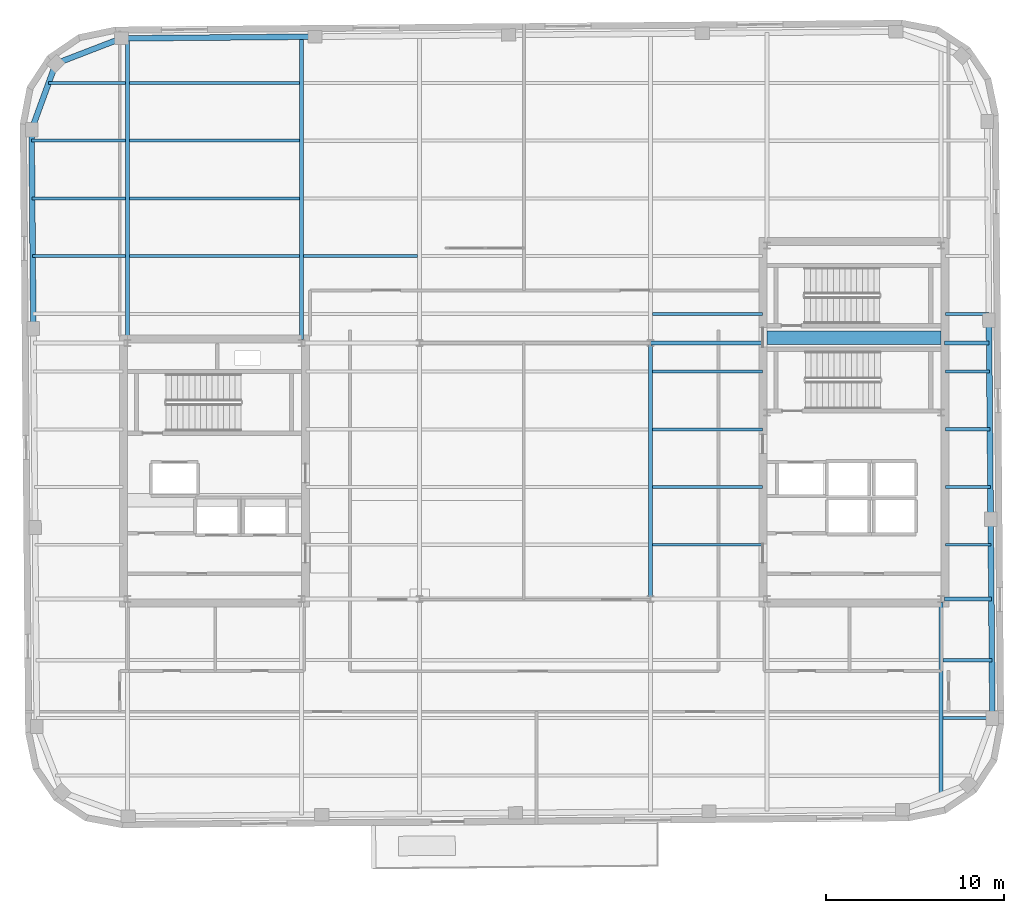
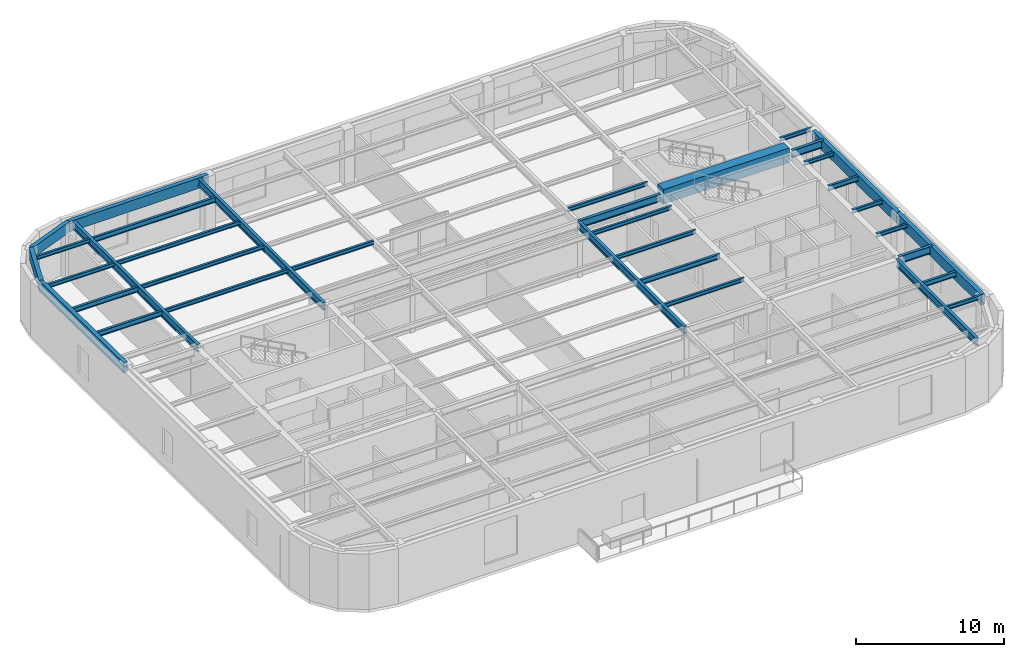
# One storey, part 5 of 13: 35 beams.
"""IFC4 building model written with IfcOpenShell, lengths in metres."""

import ifcopenshell
import ifcopenshell.guid

model = None  # the IFC model being written
_history = None  # IfcOwnerHistory: only IFC2X3 demands one
_inside = {}  # id of a spatial element -> (the spatial element, [elements in it])
_under = {}  # id of a project, library or spatial element -> (it, [spatial elements below it])
_declared = {}  # id of a project -> (the project, [libraries it declares])
_typed = {}  # id of a type object -> (the type object, [elements of that type])
_made_of = {}  # id of a material, layer set ... -> (it, [elements and type objects made of it])


def new_model(schema):
    """Start an empty IFC model of exactly this schema.

    Asked for "IFC4X3", IfcOpenShell would pick the latest addendum, in which some entities
    have other attributes; the version numbers below select the first issue.
    IFC2X3 requires an IfcOwnerHistory on every rooted entity: one is made here for all.
    """
    global model, _history
    if schema == "IFC4X3":
        model = ifcopenshell.file(schema_version=(4, 3, 0, 0))
    else:
        model = ifcopenshell.file(schema=schema)
    _inside.clear()
    _under.clear()
    _declared.clear()
    _typed.clear()
    _made_of.clear()
    _history = None
    if model.schema == "IFC2X3":
        org = make("IfcOrganization", Name="unknown")
        user = make(
            "IfcPersonAndOrganization",
            ThePerson=make("IfcPerson", FamilyName="unknown"),
            TheOrganization=org,
        )
        app = make(
            "IfcApplication",
            ApplicationDeveloper=org,
            Version="unknown",
            ApplicationFullName="unknown",
            ApplicationIdentifier="unknown",
        )
        _history = make(
            "IfcOwnerHistory",
            OwningUser=user,
            OwningApplication=app,
            ChangeAction="ADDED",
            CreationDate=0,
        )
    return model


def make(cls, **values):
    """One entity of the class cls with the attributes given. An attribute that is None is left unset."""
    return model.create_entity(
        cls, **{name: value for name, value in values.items() if value is not None}
    )


def rooted(cls, **values):
    """An entity with a GlobalId (a new one), such as an element, a storey or a relation."""
    return make(cls, GlobalId=ifcopenshell.guid.new(), OwnerHistory=_history, **values)


def si_unit(unit_type, name, prefix=None):
    """IfcSIUnit, for example si_unit("LENGTHUNIT", "METRE", prefix="MILLI")."""
    return make("IfcSIUnit", UnitType=unit_type, Prefix=prefix, Name=name)


def assignment(units):
    """IfcUnitAssignment: the units of a project."""
    return None if units is None else make("IfcUnitAssignment", Units=units)


def point(xyz):
    """IfcCartesianPoint."""
    return None if xyz is None else make("IfcCartesianPoint", Coordinates=xyz)


def direction(xyz):
    """IfcDirection."""
    return None if xyz is None else make("IfcDirection", DirectionRatios=xyz)


def frame(location, z_axis=None, x_axis=None):
    """IfcAxis2Placement3D, a coordinate frame: its origin and axes. An axis left out is left unset."""
    return make(
        "IfcAxis2Placement3D",
        Location=point(location),
        Axis=direction(z_axis),
        RefDirection=direction(x_axis),
    )


def frame_2d(location, x_axis=None):
    """IfcAxis2Placement2D, a coordinate frame in the plane: its origin and x axis."""
    return make(
        "IfcAxis2Placement2D", Location=point(location), RefDirection=direction(x_axis)
    )


def origin():
    """The frame at (0, 0, 0) with its axes left unset."""
    return frame((0.0, 0.0, 0.0))


def origin_2d():
    """The frame at (0, 0) in the plane with its x axis left unset."""
    return frame_2d((0.0, 0.0))


def place(relative_to, where):
    """IfcLocalPlacement: puts the frame where relative to a parent placement (None: the world)."""
    return make(
        "IfcLocalPlacement", PlacementRelTo=relative_to, RelativePlacement=where
    )


def context(
    kind, dimensions, precision=None, world=None, true_north=None, identifier=None
):
    """IfcGeometricRepresentationContext, for example the 3D "Model" context."""
    return make(
        "IfcGeometricRepresentationContext",
        ContextIdentifier=identifier,
        ContextType=kind,
        CoordinateSpaceDimension=dimensions,
        Precision=precision,
        WorldCoordinateSystem=world,
        TrueNorth=true_north,
    )


def subcontext(parent, identifier, kind, view, scale=None):
    """IfcGeometricRepresentationSubContext, for example "Body" below "Model"."""
    return make(
        "IfcGeometricRepresentationSubContext",
        ContextIdentifier=identifier,
        ContextType=kind,
        ParentContext=parent,
        TargetScale=scale,
        TargetView=view,
    )


def project(units=None, contexts=None):
    """IfcProject with its units and contexts."""
    return rooted(
        "IfcProject",
        Name="project",
        RepresentationContexts=contexts,
        UnitsInContext=assignment(units),
    )


def spatial(cls, under=None, at=None, **own):
    """A site, building, storey or space (cls), placed at a placement, below another one or the project."""
    s = rooted(cls, ObjectPlacement=at, **own)
    if under is not None:
        _under.setdefault(under.id(), (under, []))[1].append(s)
    return s


def profile(cls, at=None, kind="AREA", **sizes):
    """A parametric profile (cls). Its sizes go by their IFC names, for example OverallWidth=200.0."""
    return make(cls, ProfileType=kind, Position=at, **sizes)


def rectangle(**sizes):
    """IfcRectangleProfileDef."""
    return profile("IfcRectangleProfileDef", **sizes)


def hollow_rectangle(**sizes):
    """IfcRectangleHollowProfileDef."""
    return profile("IfcRectangleHollowProfileDef", **sizes)


def i_section(**sizes):
    """IfcIShapeProfileDef."""
    return profile("IfcIShapeProfileDef", **sizes)


def extrude(swept, where, along, depth):
    """IfcExtrudedAreaSolid: the profile swept, set in the frame where, extruded along a direction by depth."""
    return make(
        "IfcExtrudedAreaSolid",
        SweptArea=swept,
        Position=where,
        ExtrudedDirection=direction(along),
        Depth=depth,
    )


def shape(context_of_items, identifier, shape_type, items):
    """IfcShapeRepresentation: the items that make up one representation, for example the "Body"."""
    return make(
        "IfcShapeRepresentation",
        ContextOfItems=context_of_items,
        RepresentationIdentifier=identifier,
        RepresentationType=shape_type,
        Items=items,
    )


def material(Name=None, Category=None):
    """IfcMaterial."""
    return make("IfcMaterial", Name=Name, Category=Category)


def material_profile(
    of_material, cross_section, Name=None, Category=None, Priority=None
):
    """IfcMaterialProfile: a cross section and its material."""
    return make(
        "IfcMaterialProfile",
        Name=Name,
        Material=of_material,
        Profile=cross_section,
        Priority=Priority,
        Category=Category,
    )


def profile_set(profiles, Name=None, composite=None):
    """IfcMaterialProfileSet."""
    return make(
        "IfcMaterialProfileSet",
        Name=Name,
        MaterialProfiles=profiles,
        CompositeProfile=composite,
    )


def made_of(thing, what):
    """Note that an element or type object is made of a material, layer set ...; save() writes the relation."""
    if what is not None:
        _made_of.setdefault(what.id(), (what, []))[1].append(thing)
    return thing


def type_object(cls, material=None, **own):
    """A type object (cls), such as IfcWallType, which elements share."""
    return made_of(rooted(cls, **own), material)


def element(
    cls,
    number,
    at=None,
    inside=None,
    cuts=None,
    type_object=None,
    material=None,
    context=None,
    identifier="Body",
    shape_type=None,
    held_by="IfcProductDefinitionShape",
    body=None,
    shapes=None,
    **own,
):
    """One element of the class cls, such as IfcWall. Its Tag is "e" and its number.

    at: its placement. inside: the storey or other place that contains it. cuts: it is an
    opening in that element (IfcRelVoidsElement). A single representation is given by context,
    identifier, shape_type and body (its items); several are given by shapes. held_by: the class
    of the entity that holds the representations. save() writes the other relations.
    """
    e = rooted(cls, Tag="e%d" % number, ObjectPlacement=at, **own)
    if body is not None:
        shapes = [shape(context, identifier, shape_type, body)]
    if shapes is not None:
        e.Representation = make(held_by, Representations=shapes)
    if inside is not None:
        _inside.setdefault(inside.id(), (inside, []))[1].append(e)
    if cuts is not None:
        rooted(
            "IfcRelVoidsElement", RelatingBuildingElement=cuts, RelatedOpeningElement=e
        )
    if type_object is not None:
        _typed.setdefault(type_object.id(), (type_object, []))[1].append(e)
    return made_of(e, material)


def aggregate(whole, parts):
    """IfcRelAggregates: a whole, such as a stair, and the parts it consists of."""
    return rooted("IfcRelAggregates", RelatingObject=whole, RelatedObjects=parts)


def save(model, path):
    """Write the relations noted so far, then the file.

    IfcRelAggregates (storeys below a building ...), IfcRelContainedInSpatialStructure (elements
    in a storey), IfcRelDefinesByType, IfcRelAssociatesMaterial and IfcRelDeclares: one each for
    every whole, place, type object, material and project.
    """
    for whole, parts in _under.values():
        aggregate(whole, parts)
    for where, things in _inside.values():
        rooted(
            "IfcRelContainedInSpatialStructure",
            RelatedElements=things,
            RelatingStructure=where,
        )
    for kind, things in _typed.values():
        rooted("IfcRelDefinesByType", RelatedObjects=things, RelatingType=kind)
    for what, things in _made_of.values():
        rooted("IfcRelAssociatesMaterial", RelatedObjects=things, RelatingMaterial=what)
    for by, libraries in _declared.values():
        rooted("IfcRelDeclares", RelatingContext=by, RelatedDefinitions=libraries)
    model.write(path)


model = new_model("IFC4")

# Units and contexts
model_context = context("Model", 3, precision=1e-05, world=origin(), true_north=direction((0.0, 1.0)))
body_context = subcontext(model_context, "Body", "Model", "MODEL_VIEW")
ifc_project = project(units=[si_unit("LENGTHUNIT", "METRE"), si_unit("AREAUNIT", "SQUARE_METRE"), si_unit("VOLUMEUNIT", "CUBIC_METRE"), si_unit("PLANEANGLEUNIT", "RADIAN"), si_unit("MASSUNIT", "GRAM", prefix="KILO")], contexts=[model_context])

# Site, building, storey
site_placement = place(None, origin())
site = spatial("IfcSite", under=ifc_project, at=site_placement, CompositionType="ELEMENT")
building_placement = place(site_placement, origin())
building = spatial("IfcBuilding", under=site, at=building_placement, Name="Kolvaren Arena Tower", CompositionType="ELEMENT")
storey_placement = place(building_placement, frame((0.0, 0.0, 312.39990234375)))
storey = spatial("IfcBuildingStorey", under=building, at=storey_placement, Name="L77", CompositionType="ELEMENT", Elevation=312.39990234375)

# Beams
ifc_material_1 = material(Name="Steel CSA G40.21 350W", Category="steel")
ifc_material_profile_1 = material_profile(ifc_material_1, i_section(OverallWidth=0.180908203125, OverallDepth=0.4169921875, WebThickness=0.010986328125, FlangeThickness=0.018310546875, FilletRadius=0.011962890625, at=origin_2d()), Name="W410x85")
ifc_profile_set_1 = profile_set([ifc_material_profile_1], Name="Steel CSA G40.21 350W")
beam_type_1 = type_object("IfcBeamType", Name="BEAM-F3", PredefinedType="BEAM", material=ifc_profile_set_1)
beam_1_placement = place(storey_placement, frame((60.464111328125, 16.0, 4.3515625), z_axis=(1.0, 0.0, 0.0), x_axis=(0.0, 1.0, 0.0)))
element("IfcBeam", 1, at=beam_1_placement, inside=storey, type_object=beam_type_1, Name="Composite Floor Beam (L77)", PredefinedType="BEAM", context=body_context, shape_type="SweptSolid", body=[
    extrude(i_section(OverallWidth=0.180908203125, OverallDepth=0.4169921875, WebThickness=0.010986328125, FlangeThickness=0.018310546875, FilletRadius=0.011962890625, at=origin_2d()), origin(), (0.0, 0.0, 1.0), 2.7529296875),
])
beam_2_placement = place(storey_placement, frame((44.114013671875, 25.75, 4.3515625), z_axis=(1.0, 0.0, 0.0), x_axis=(0.0, 1.0, 0.0)))
element("IfcBeam", 2, at=beam_2_placement, inside=storey, type_object=beam_type_1, Name="Composite Floor Beam (L77)", PredefinedType="BEAM", context=body_context, shape_type="SweptSolid", body=[
    extrude(i_section(OverallWidth=0.180908203125, OverallDepth=0.4169921875, WebThickness=0.010986328125, FlangeThickness=0.018310546875, FilletRadius=0.011962890625, at=origin_2d()), origin(), (0.0, 0.0, 1.0), 6.19091796875),
])
beam_3_placement = place(storey_placement, frame((60.594970703125, 29.0, 4.3515625), z_axis=(1.0, 0.0, 0.0), x_axis=(0.0, 1.0, 0.0)))
element("IfcBeam", 3, at=beam_3_placement, inside=storey, type_object=beam_type_1, Name="Composite Floor Beam (L77)", PredefinedType="BEAM", context=body_context, shape_type="SweptSolid", body=[
    extrude(i_section(OverallWidth=0.180908203125, OverallDepth=0.4169921875, WebThickness=0.010986328125, FlangeThickness=0.018310546875, FilletRadius=0.011962890625, at=origin_2d()), origin(), (0.0, 0.0, 1.0), 2.508544921875),
])
beam_4_placement = place(storey_placement, frame((9.216552734375, 38.75, 4.3515625), z_axis=(1.0, 0.0, 0.0), x_axis=(0.0, 1.0, 0.0)))
element("IfcBeam", 4, at=beam_4_placement, inside=storey, type_object=beam_type_1, Name="Composite Floor Beam (L77)", PredefinedType="BEAM", context=body_context, shape_type="SweptSolid", body=[
    extrude(i_section(OverallWidth=0.180908203125, OverallDepth=0.4169921875, WebThickness=0.010986328125, FlangeThickness=0.018310546875, FilletRadius=0.011962890625, at=origin_2d()), origin(), (0.0, 0.0, 1.0), 5.219482421875),
])
beam_5_placement = place(storey_placement, frame((9.18798828125, 42.0, 4.3515625), z_axis=(1.0, 0.0, 0.0), x_axis=(0.0, 1.0, 0.0)))
element("IfcBeam", 5, at=beam_5_placement, inside=storey, type_object=beam_type_1, Name="Composite Floor Beam (L77)", PredefinedType="BEAM", context=body_context, shape_type="SweptSolid", body=[
    extrude(i_section(OverallWidth=0.180908203125, OverallDepth=0.4169921875, WebThickness=0.010986328125, FlangeThickness=0.018310546875, FilletRadius=0.011962890625, at=origin_2d()), origin(), (0.0, 0.0, 1.0), 5.248046875),
])
beam_6_placement = place(storey_placement, frame((14.6640625, 48.5, 4.3515625), z_axis=(1.0, 0.0, 0.0), x_axis=(0.0, 1.0, 0.0)))
element("IfcBeam", 6, at=beam_6_placement, inside=storey, type_object=beam_type_1, Name="Composite Floor Beam (L77)", PredefinedType="BEAM", context=body_context, shape_type="SweptSolid", body=[
    extrude(i_section(OverallWidth=0.180908203125, OverallDepth=0.4169921875, WebThickness=0.010986328125, FlangeThickness=0.018310546875, FilletRadius=0.011962890625, at=origin_2d()), origin(), (0.0, 0.0, 1.0), 9.572021484375),
])
ifc_material_2 = material(Name="Concrete 60 MPa", Category="concrete")
ifc_material_profile_2 = material_profile(ifc_material_2, rectangle(XDim=0.75, YDim=1.199951171875, at=origin_2d()), Name="RC-750x1200")
ifc_profile_set_2 = profile_set([ifc_material_profile_2], Name="Concrete 60 MPa")
beam_type_2 = type_object("IfcBeamType", Name="CB-CORE-2", PredefinedType="BEAM", material=ifc_profile_set_2)
beam_7_placement = place(storey_placement, frame((50.550048828125, 34.14990234375, 4.22998046875), z_axis=(1.0, 0.0, 0.0), x_axis=(0.0, 1.0, 0.0)))
element("IfcBeam", 7, at=beam_7_placement, inside=storey, type_object=beam_type_2, Name="East Core Coupling Beam (L77)", PredefinedType="BEAM", context=body_context, shape_type="SweptSolid", body=[
    extrude(rectangle(XDim=0.75, YDim=1.199951171875, at=origin_2d()), origin(), (0.0, 0.0, 1.0), 9.800048828125),
])
ifc_material_profile_3 = material_profile(ifc_material_1, i_section(OverallWidth=0.22802734375, OverallDepth=0.615966796875, WebThickness=0.013916015625, FlangeThickness=0.02490234375, FilletRadius=0.014892578125, at=origin_2d()), Name="W610x174")
ifc_profile_set_3 = profile_set([ifc_material_profile_3], Name="Steel CSA G40.21 350W")
beam_type_3 = type_object("IfcBeamType", Name="GIRD-T3", PredefinedType="BEAM", material=ifc_profile_set_3)
beam_8_placement = place(storey_placement, frame((60.554931640625, 19.449951171875, 4.252197265625), z_axis=(1.0, 0.0, 0.0), x_axis=(0.0, 1.0, 0.0)))
element("IfcBeam", 8, at=beam_8_placement, inside=storey, type_object=beam_type_3, Name="Primary Floor Girder (L77)", PredefinedType="BEAM", context=body_context, shape_type="SweptSolid", body=[
    extrude(i_section(OverallWidth=0.22802734375, OverallDepth=0.615966796875, WebThickness=0.013916015625, FlangeThickness=0.02490234375, FilletRadius=0.014892578125, at=origin_2d()), origin(), (0.0, 0.0, 1.0), 2.632080078125),
])
beam_9_placement = place(storey_placement, frame((44.0, 33.85009765625, 4.252197265625), z_axis=(1.0, 0.0, 0.0), x_axis=(0.0, 1.0, 0.0)))
element("IfcBeam", 9, at=beam_9_placement, inside=storey, type_object=beam_type_3, Name="Primary Floor Girder (L77)", PredefinedType="BEAM", context=body_context, shape_type="SweptSolid", body=[
    extrude(i_section(OverallWidth=0.22802734375, OverallDepth=0.615966796875, WebThickness=0.013916015625, FlangeThickness=0.02490234375, FilletRadius=0.014892578125, at=origin_2d()), origin(), (0.0, 0.0, 1.0), 6.344970703125),
])
beam_10_placement = place(storey_placement, frame((60.554931640625, 33.85009765625, 4.252197265625), z_axis=(1.0, 0.0, 0.0), x_axis=(0.0, 1.0, 0.0)))
element("IfcBeam", 10, at=beam_10_placement, inside=storey, type_object=beam_type_3, Name="Primary Floor Girder (L77)", PredefinedType="BEAM", context=body_context, shape_type="SweptSolid", body=[
    extrude(i_section(OverallWidth=0.22802734375, OverallDepth=0.615966796875, WebThickness=0.013916015625, FlangeThickness=0.02490234375, FilletRadius=0.014892578125, at=origin_2d()), origin(), (0.0, 0.0, 1.0), 2.50634765625),
])
beam_11_placement = place(storey_placement, frame((14.550048828125, 34.054931640625, 4.252197265625), z_axis=(0.0, 1.0, 0.0), x_axis=(-1.0, 0.0, 0.0)))
element("IfcBeam", 11, at=beam_11_placement, inside=storey, type_object=beam_type_3, Name="Primary Floor Girder (L77)", PredefinedType="BEAM", context=body_context, shape_type="SweptSolid", body=[
    extrude(i_section(OverallWidth=0.22802734375, OverallDepth=0.615966796875, WebThickness=0.013916015625, FlangeThickness=0.02490234375, FilletRadius=0.014892578125, at=origin_2d()), origin(), (0.0, 0.0, 1.0), 16.95703125),
])
beam_12_placement = place(storey_placement, frame((24.35009765625, 34.054931640625, 4.252197265625), z_axis=(0.0, 1.0, 0.0), x_axis=(-1.0, 0.0, 0.0)))
element("IfcBeam", 12, at=beam_12_placement, inside=storey, type_object=beam_type_3, Name="Primary Floor Girder (L77)", PredefinedType="BEAM", context=body_context, shape_type="SweptSolid", body=[
    extrude(i_section(OverallWidth=0.22802734375, OverallDepth=0.615966796875, WebThickness=0.013916015625, FlangeThickness=0.02490234375, FilletRadius=0.014892578125, at=origin_2d()), origin(), (0.0, 0.0, 1.0), 17.04248046875),
])
beam_13_placement = place(storey_placement, frame((44.0, 19.449951171875, 4.252197265625), z_axis=(0.0, 1.0, 0.0), x_axis=(-1.0, 0.0, 0.0)))
element("IfcBeam", 13, at=beam_13_placement, inside=storey, type_object=beam_type_3, Name="Primary Floor Girder (L77)", PredefinedType="BEAM", context=body_context, shape_type="SweptSolid", body=[
    extrude(i_section(OverallWidth=0.22802734375, OverallDepth=0.615966796875, WebThickness=0.013916015625, FlangeThickness=0.02490234375, FilletRadius=0.014892578125, at=origin_2d()), origin(), (0.0, 0.0, 1.0), 14.400146484375),
])
beam_14_placement = place(storey_placement, frame((60.35009765625, 8.4228515625, 4.252197265625), z_axis=(0.0, 1.0, 0.0), x_axis=(-1.0, 0.0, 0.0)))
element("IfcBeam", 14, at=beam_14_placement, inside=storey, type_object=beam_type_3, Name="Primary Floor Girder (L77)", PredefinedType="BEAM", context=body_context, shape_type="SweptSolid", body=[
    extrude(i_section(OverallWidth=0.22802734375, OverallDepth=0.615966796875, WebThickness=0.013916015625, FlangeThickness=0.02490234375, FilletRadius=0.014892578125, at=origin_2d()), origin(), (0.0, 0.0, 1.0), 10.822265625),
])
ifc_material_profile_4 = material_profile(ifc_material_1, i_section(OverallWidth=0.1669921875, OverallDepth=0.31689453125, WebThickness=0.007568359375, FlangeThickness=0.01318359375, FilletRadius=0.010009765625, at=origin_2d()), Name="W310x52")
ifc_profile_set_4 = profile_set([ifc_material_profile_4], Name="Steel CSA G40.21 350W")
beam_type_4 = type_object("IfcBeamType", Name="JOIST-02", PredefinedType="JOIST", material=ifc_profile_set_4)
beam_15_placement = place(storey_placement, frame((60.464111328125, 12.75, 4.401611328125), z_axis=(1.0, 0.0, 0.0), x_axis=(0.0, 1.0, 0.0)))
element("IfcBeam", 15, at=beam_15_placement, inside=storey, type_object=beam_type_4, Name="Composite Floor Joist (L77)", PredefinedType="JOIST", context=body_context, shape_type="SweptSolid", body=[
    extrude(i_section(OverallWidth=0.1669921875, OverallDepth=0.31689453125, WebThickness=0.007568359375, FlangeThickness=0.01318359375, FilletRadius=0.010009765625, at=origin_2d()), origin(), (0.0, 0.0, 1.0), 2.781494140625),
])
beam_16_placement = place(storey_placement, frame((44.114013671875, 22.5, 4.401611328125), z_axis=(1.0, 0.0, 0.0), x_axis=(0.0, 1.0, 0.0)))
element("IfcBeam", 16, at=beam_16_placement, inside=storey, type_object=beam_type_4, Name="Composite Floor Joist (L77)", PredefinedType="JOIST", context=body_context, shape_type="SweptSolid", body=[
    extrude(i_section(OverallWidth=0.1669921875, OverallDepth=0.31689453125, WebThickness=0.007568359375, FlangeThickness=0.01318359375, FilletRadius=0.010009765625, at=origin_2d()), origin(), (0.0, 0.0, 1.0), 6.19091796875),
])
beam_17_placement = place(storey_placement, frame((60.594970703125, 22.5, 4.401611328125), z_axis=(1.0, 0.0, 0.0), x_axis=(0.0, 1.0, 0.0)))
element("IfcBeam", 17, at=beam_17_placement, inside=storey, type_object=beam_type_4, Name="Composite Floor Joist (L77)", PredefinedType="JOIST", context=body_context, shape_type="SweptSolid", body=[
    extrude(i_section(OverallWidth=0.1669921875, OverallDepth=0.31689453125, WebThickness=0.007568359375, FlangeThickness=0.01318359375, FilletRadius=0.010009765625, at=origin_2d()), origin(), (0.0, 0.0, 1.0), 2.5654296875),
])
beam_18_placement = place(storey_placement, frame((60.594970703125, 25.75, 4.401611328125), z_axis=(1.0, 0.0, 0.0), x_axis=(0.0, 1.0, 0.0)))
element("IfcBeam", 18, at=beam_18_placement, inside=storey, type_object=beam_type_4, Name="Composite Floor Joist (L77)", PredefinedType="JOIST", context=body_context, shape_type="SweptSolid", body=[
    extrude(i_section(OverallWidth=0.1669921875, OverallDepth=0.31689453125, WebThickness=0.007568359375, FlangeThickness=0.01318359375, FilletRadius=0.010009765625, at=origin_2d()), origin(), (0.0, 0.0, 1.0), 2.537109375),
])
for number, where, z_axis, x_axis, name in (
    (19, (44.114013671875, 29.0, 4.401611328125), (1.0, 0.0, 0.0), (0.0, 1.0, 0.0), "Composite Floor Joist (L77)"),
    (20, (44.114013671875, 32.25, 4.401611328125), (1.0, 0.0, 0.0), (0.0, 1.0, 0.0), "Composite Floor Joist (L77)"),
):
    element("IfcBeam", number, at=place(storey_placement, frame(where, z_axis=z_axis, x_axis=x_axis)), inside=storey, type_object=beam_type_4, Name=name, PredefinedType="JOIST", context=body_context, shape_type="SweptSolid", body=[
        extrude(i_section(OverallWidth=0.1669921875, OverallDepth=0.31689453125, WebThickness=0.007568359375, FlangeThickness=0.01318359375, FilletRadius=0.010009765625, at=origin_2d()), origin(), (0.0, 0.0, 1.0), 6.19091796875),
    ])
beam_19_placement = place(storey_placement, frame((60.594970703125, 32.25, 4.401611328125), z_axis=(1.0, 0.0, 0.0), x_axis=(0.0, 1.0, 0.0)))
element("IfcBeam", 21, at=beam_19_placement, inside=storey, type_object=beam_type_4, Name="Composite Floor Joist (L77)", PredefinedType="JOIST", context=body_context, shape_type="SweptSolid", body=[
    extrude(i_section(OverallWidth=0.1669921875, OverallDepth=0.31689453125, WebThickness=0.007568359375, FlangeThickness=0.01318359375, FilletRadius=0.010009765625, at=origin_2d()), origin(), (0.0, 0.0, 1.0), 2.480224609375),
])
beam_20_placement = place(storey_placement, frame((44.114013671875, 35.5, 4.401611328125), z_axis=(1.0, 0.0, 0.0), x_axis=(0.0, 1.0, 0.0)))
element("IfcBeam", 22, at=beam_20_placement, inside=storey, type_object=beam_type_4, Name="Composite Floor Joist (L77)", PredefinedType="JOIST", context=body_context, shape_type="SweptSolid", body=[
    extrude(i_section(OverallWidth=0.1669921875, OverallDepth=0.31689453125, WebThickness=0.007568359375, FlangeThickness=0.01318359375, FilletRadius=0.010009765625, at=origin_2d()), origin(), (0.0, 0.0, 1.0), 6.19091796875),
])
beam_21_placement = place(storey_placement, frame((60.594970703125, 35.5, 4.401611328125), z_axis=(1.0, 0.0, 0.0), x_axis=(0.0, 1.0, 0.0)))
element("IfcBeam", 23, at=beam_21_placement, inside=storey, type_object=beam_type_4, Name="Composite Floor Joist (L77)", PredefinedType="JOIST", context=body_context, shape_type="SweptSolid", body=[
    extrude(i_section(OverallWidth=0.1669921875, OverallDepth=0.31689453125, WebThickness=0.007568359375, FlangeThickness=0.01318359375, FilletRadius=0.010009765625, at=origin_2d()), origin(), (0.0, 0.0, 1.0), 2.451904296875),
])
beam_22_placement = place(storey_placement, frame((14.6640625, 38.75, 4.401611328125), z_axis=(1.0, 0.0, 0.0), x_axis=(0.0, 1.0, 0.0)))
element("IfcBeam", 24, at=beam_22_placement, inside=storey, type_object=beam_type_4, Name="Composite Floor Joist (L77)", PredefinedType="JOIST", context=body_context, shape_type="SweptSolid", body=[
    extrude(i_section(OverallWidth=0.1669921875, OverallDepth=0.31689453125, WebThickness=0.007568359375, FlangeThickness=0.01318359375, FilletRadius=0.010009765625, at=origin_2d()), origin(), (0.0, 0.0, 1.0), 9.572021484375),
])
beam_23_placement = place(storey_placement, frame((24.464111328125, 38.75, 4.401611328125), z_axis=(1.0, 0.0, 0.0), x_axis=(0.0, 1.0, 0.0)))
element("IfcBeam", 25, at=beam_23_placement, inside=storey, type_object=beam_type_4, Name="Composite Floor Joist (L77)", PredefinedType="JOIST", context=body_context, shape_type="SweptSolid", body=[
    extrude(i_section(OverallWidth=0.1669921875, OverallDepth=0.31689453125, WebThickness=0.007568359375, FlangeThickness=0.01318359375, FilletRadius=0.010009765625, at=origin_2d()), origin(), (0.0, 0.0, 1.0), 6.421875),
])
beam_24_placement = place(storey_placement, frame((14.6640625, 42.0, 4.401611328125), z_axis=(1.0, 0.0, 0.0), x_axis=(0.0, 1.0, 0.0)))
element("IfcBeam", 26, at=beam_24_placement, inside=storey, type_object=beam_type_4, Name="Composite Floor Joist (L77)", PredefinedType="JOIST", context=body_context, shape_type="SweptSolid", body=[
    extrude(i_section(OverallWidth=0.1669921875, OverallDepth=0.31689453125, WebThickness=0.007568359375, FlangeThickness=0.01318359375, FilletRadius=0.010009765625, at=origin_2d()), origin(), (0.0, 0.0, 1.0), 9.572021484375),
])
beam_25_placement = place(storey_placement, frame((9.159912109375, 45.25, 4.401611328125), z_axis=(1.0, 0.0, 0.0), x_axis=(0.0, 1.0, 0.0)))
element("IfcBeam", 27, at=beam_25_placement, inside=storey, type_object=beam_type_4, Name="Composite Floor Joist (L77)", PredefinedType="JOIST", context=body_context, shape_type="SweptSolid", body=[
    extrude(i_section(OverallWidth=0.1669921875, OverallDepth=0.31689453125, WebThickness=0.007568359375, FlangeThickness=0.01318359375, FilletRadius=0.010009765625, at=origin_2d()), origin(), (0.0, 0.0, 1.0), 5.276123046875),
])
beam_26_placement = place(storey_placement, frame((14.6640625, 45.25, 4.401611328125), z_axis=(1.0, 0.0, 0.0), x_axis=(0.0, 1.0, 0.0)))
element("IfcBeam", 28, at=beam_26_placement, inside=storey, type_object=beam_type_4, Name="Composite Floor Joist (L77)", PredefinedType="JOIST", context=body_context, shape_type="SweptSolid", body=[
    extrude(i_section(OverallWidth=0.1669921875, OverallDepth=0.31689453125, WebThickness=0.007568359375, FlangeThickness=0.01318359375, FilletRadius=0.010009765625, at=origin_2d()), origin(), (0.0, 0.0, 1.0), 9.572021484375),
])
beam_27_placement = place(storey_placement, frame((10.11669921875, 48.5, 4.401611328125), z_axis=(1.0, 0.0, 0.0), x_axis=(0.0, 1.0, 0.0)))
element("IfcBeam", 29, at=beam_27_placement, inside=storey, type_object=beam_type_4, Name="Composite Floor Joist (L77)", PredefinedType="JOIST", context=body_context, shape_type="SweptSolid", body=[
    extrude(i_section(OverallWidth=0.1669921875, OverallDepth=0.31689453125, WebThickness=0.007568359375, FlangeThickness=0.01318359375, FilletRadius=0.010009765625, at=origin_2d()), origin(), (0.0, 0.0, 1.0), 4.3193359375),
])
ifc_material_3 = material(Name="Steel CSA G40.21 350WT", Category="steel")
ifc_material_profile_5 = material_profile(ifc_material_3, hollow_rectangle(XDim=0.320068359375, YDim=0.860107421875, WallThickness=0.01806640625, at=origin_2d()), Name="HSS 860x320x18")
ifc_profile_set_5 = profile_set([ifc_material_profile_5], Name="Steel CSA G40.21 350WT")
beam_type_5 = type_object("IfcBeamType", Name="SPAND-02", PredefinedType="SPANDREL", material=ifc_profile_set_5)
beam_28_placement = place(storey_placement, frame((63.24560546875, 12.7353515625, 4.130126953125), z_axis=(-0.008741001013, 0.999961796721, 0.0), x_axis=(-0.999961796721, -0.008741001013, 0.0)))
element("IfcBeam", 30, at=beam_28_placement, inside=storey, type_object=beam_type_5, Name="Perimeter Spandrel Beam (L77)", PredefinedType="SPANDREL", context=body_context, shape_type="SweptSolid", body=[
    extrude(hollow_rectangle(XDim=0.320068359375, YDim=0.860107421875, WallThickness=0.01806640625, at=origin_2d()), origin(), (0.0, 0.0, 1.0), 11.2001953125),
])
beam_29_placement = place(storey_placement, frame((63.147705078125, 23.93505859375, 4.130126953125), z_axis=(-0.008719394723, 0.999961985355, 0.0), x_axis=(-0.999961985355, -0.008719394723, 0.0)))
element("IfcBeam", 31, at=beam_29_placement, inside=storey, type_object=beam_type_5, Name="Perimeter Spandrel Beam (L77)", PredefinedType="SPANDREL", context=body_context, shape_type="SweptSolid", body=[
    extrude(hollow_rectangle(XDim=0.320068359375, YDim=0.860107421875, WallThickness=0.01806640625, at=origin_2d()), origin(), (0.0, 0.0, 1.0), 11.199951171875),
])
beam_30_placement = place(storey_placement, frame((25.109375, 51.10400390625, 4.130126953125), z_axis=(-0.999961846999, -0.008735247404, 0.0), x_axis=(0.008735247404, -0.999961846999, 0.0)))
element("IfcBeam", 32, at=beam_30_placement, inside=storey, type_object=beam_type_5, Name="Perimeter Spandrel Beam (L77)", PredefinedType="SPANDREL", context=body_context, shape_type="SweptSolid", body=[
    extrude(hollow_rectangle(XDim=0.320068359375, YDim=0.860107421875, WallThickness=0.01806640625, at=origin_2d()), origin(), (0.0, 0.0, 1.0), 10.900146484375),
])
beam_31_placement = place(storey_placement, frame((14.209716796875, 51.0087890625, 4.130126953125), z_axis=(-0.933210515777, -0.359330117362, 0.0), x_axis=(0.359330117362, -0.933210515777, 0.0)))
element("IfcBeam", 33, at=beam_31_placement, inside=storey, type_object=beam_type_5, Name="Perimeter Spandrel Beam (L77)", PredefinedType="SPANDREL", context=body_context, shape_type="SweptSolid", body=[
    extrude(hollow_rectangle(XDim=0.320068359375, YDim=0.860107421875, WallThickness=0.01806640625, at=origin_2d()), origin(), (0.0, 0.0, 1.0), 3.961181640625),
])
beam_32_placement = place(storey_placement, frame((10.51318359375, 49.58544921875, 4.130126953125), z_axis=(-0.343039242335, -0.939321073019, 0.0), x_axis=(0.939321073019, -0.343039242335, 0.0)))
element("IfcBeam", 34, at=beam_32_placement, inside=storey, type_object=beam_type_5, Name="Perimeter Spandrel Beam (L77)", PredefinedType="SPANDREL", context=body_context, shape_type="SweptSolid", body=[
    extrude(hollow_rectangle(XDim=0.320068359375, YDim=0.860107421875, WallThickness=0.01806640625, at=origin_2d()), origin(), (0.0, 0.0, 1.0), 3.96142578125),
])
beam_33_placement = place(storey_placement, frame((9.154296875, 45.864501953125, 4.130126953125), z_axis=(0.008741191547, -0.999961795055, 0.0), x_axis=(0.999961795055, 0.008741191547, 0.0)))
element("IfcBeam", 35, at=beam_33_placement, inside=storey, type_object=beam_type_5, Name="Perimeter Spandrel Beam (L77)", PredefinedType="SPANDREL", context=body_context, shape_type="SweptSolid", body=[
    extrude(hollow_rectangle(XDim=0.320068359375, YDim=0.860107421875, WallThickness=0.01806640625, at=origin_2d()), origin(), (0.0, 0.0, 1.0), 11.199951171875),
])

save(model, "model.ifc")
